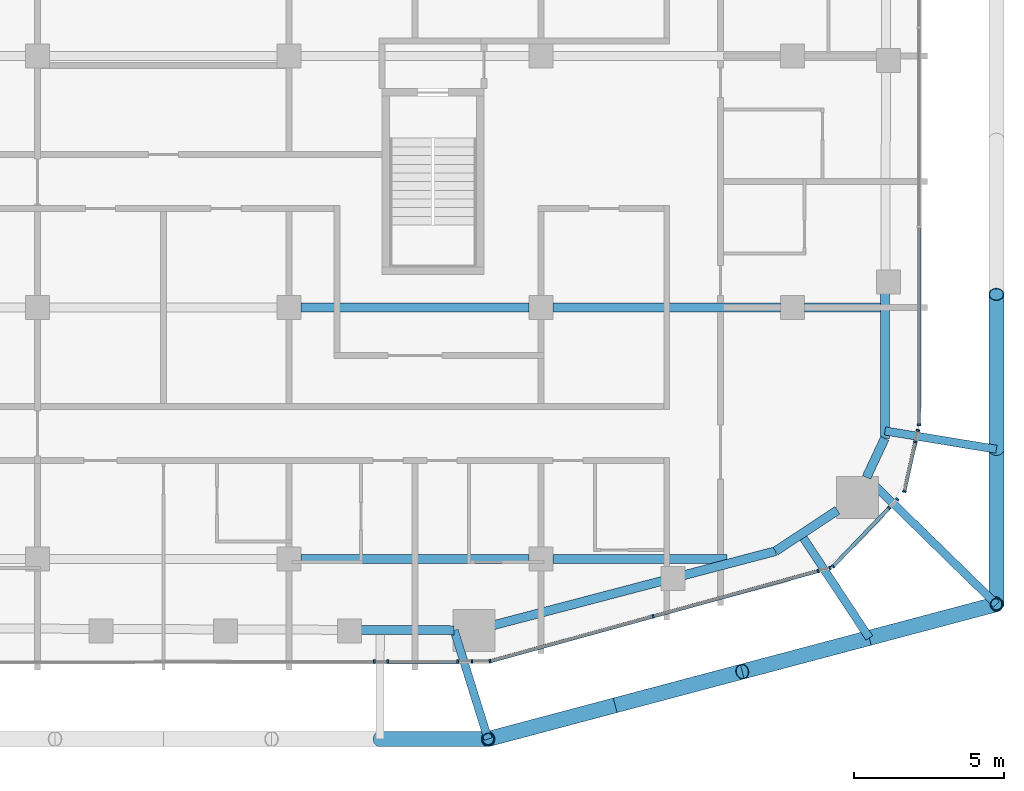
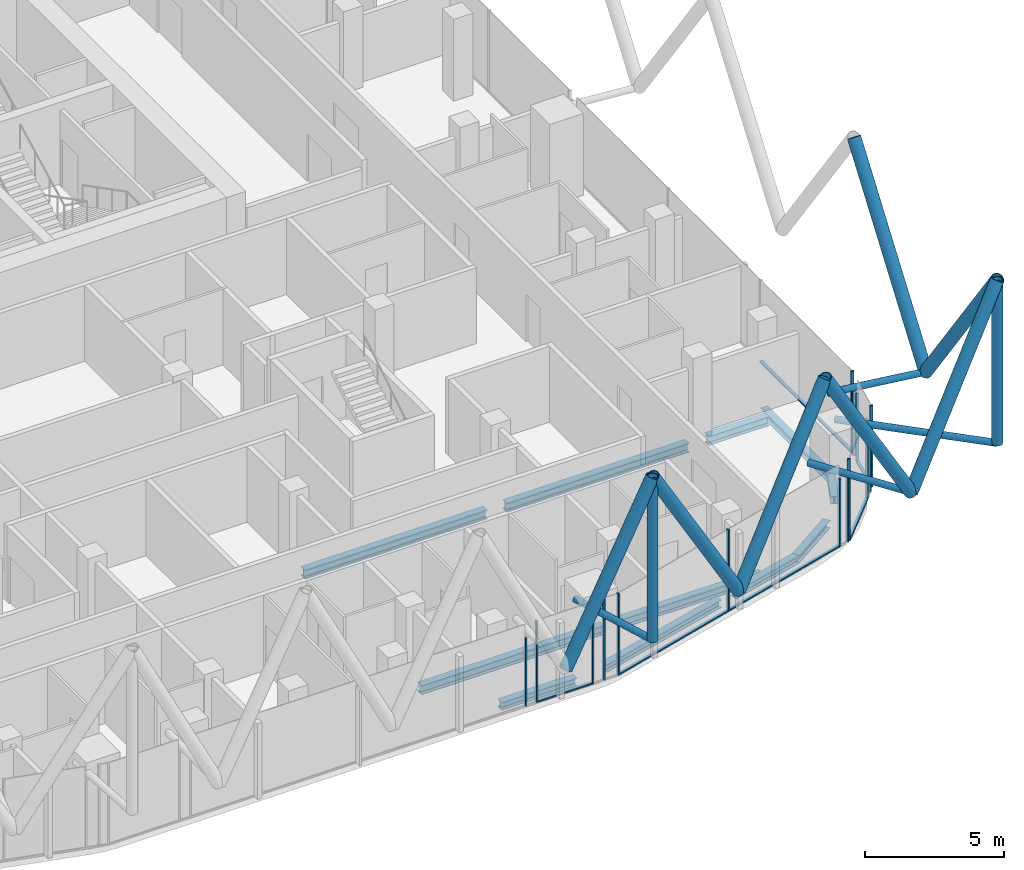
# One storey, part 6 of 31: 34 members, 11 beams, 11 elements without a shape of their own.
"""IFC4 building model written with IfcOpenShell, lengths in metres."""

from ifc_helpers import new_model, si_unit, direction, frame, origin, origin_2d, place, context, subcontext, project, spatial, rectangle, hollow_circle, i_section, extrude, material, layer, layer_set, material_profile, profile_set, type_object, element, aggregate, save


model = new_model("IFC4")

# Units and contexts
model_context = context("Model", 3, precision=1e-05, world=origin(), true_north=direction((0.0, 1.0)))
body_context = subcontext(model_context, "Body", "Model", "MODEL_VIEW")
ifc_project = project(units=[si_unit("LENGTHUNIT", "METRE"), si_unit("AREAUNIT", "SQUARE_METRE"), si_unit("VOLUMEUNIT", "CUBIC_METRE"), si_unit("PLANEANGLEUNIT", "RADIAN"), si_unit("MASSUNIT", "GRAM", prefix="KILO")], contexts=[model_context])

# Site, building, storey
site_placement = place(None, origin())
site = spatial("IfcSite", under=ifc_project, at=site_placement, CompositionType="ELEMENT")
building_placement = place(site_placement, origin())
building = spatial("IfcBuilding", under=site, at=building_placement, Name="Marenta Gate Hotel Tower", CompositionType="ELEMENT")
storey_placement = place(building_placement, frame((0.0, 0.0, 220.10009765625)))
storey = spatial("IfcBuildingStorey", under=building, at=storey_placement, Name="L51", CompositionType="ELEMENT", Elevation=220.10009765625)

# Members
ifc_material_1 = material(Name="Steel S355J2W", Category="steel")
ifc_material_profile_1 = material_profile(ifc_material_1, hollow_circle(Radius=0.203125, WallThickness=0.02490234375, at=origin_2d()), Name="CHS 406.4x25")
ifc_profile_set_1 = profile_set([ifc_material_profile_1], Name="Steel S355J2W")
member_type_1 = type_object("IfcMemberType", Name="Diagrid corner post Z3 CHS 406.4x25", PredefinedType="POST", material=ifc_profile_set_1)
for number, where, z_axis, x_axis, name in (
    (1, (27.800048828125, -26.7001953125, 3.139892578125), (0.0, 0.0, 1.0), (1.0, 0.0, 0.0), "L51-DR-2"),
    (2, (10.839111328125, -31.199951171875, 3.139892578125), (0.0, 0.0, 1.0), (1.0, 0.0, 0.0), "L51-DR-3"),
):
    element("IfcMember", number, at=place(storey_placement, frame(where, z_axis=z_axis, x_axis=x_axis)), inside=storey, type_object=member_type_1, Name=name, PredefinedType="POST", context=body_context, shape_type="SweptSolid", body=[
        extrude(hollow_circle(Radius=0.203125, WallThickness=0.02490234375, at=origin_2d()), origin(), (0.0, 0.0, 1.0), 7.199951171875),
    ])
ifc_material_2 = material(Name="Steel S355J2W", Category="steel")
ifc_material_profile_2 = material_profile(ifc_material_2, hollow_circle(Radius=0.25390625, WallThickness=0.02490234375, at=origin_2d()), Name="CHS 508x25")
ifc_profile_set_2 = profile_set([ifc_material_profile_2], Name="Steel S355J2W")
member_type_2 = type_object("IfcMemberType", Name="Diagrid diagonal Z3 CHS 508x25", PredefinedType="BRACE", material=ifc_profile_set_2)
member_1_placement = place(storey_placement, frame((27.800048828125, -21.530029296875, 3.139892578125), z_axis=(0.0, 0.583260841117, 0.812284919975), x_axis=(-1.0, 0.0, 0.0)))
element("IfcMember", 3, at=member_1_placement, inside=storey, type_object=member_type_2, Name="L51-DG-9", PredefinedType="BRACE", context=body_context, shape_type="SweptSolid", body=[
    extrude(hollow_circle(Radius=0.25390625, WallThickness=0.02490234375, at=origin_2d()), origin(), (0.0, 0.0, 1.0), 8.86376953125),
])
member_2_placement = place(storey_placement, frame((27.800048828125, -21.530029296875, 3.139892578125), z_axis=(0.0, -0.583279014058, 0.812271870595), x_axis=(1.0, 0.0, 0.0)))
element("IfcMember", 4, at=member_2_placement, inside=storey, type_object=member_type_2, Name="L51-DG-10", PredefinedType="BRACE", context=body_context, shape_type="SweptSolid", body=[
    extrude(hollow_circle(Radius=0.25390625, WallThickness=0.02490234375, at=origin_2d()), origin(), (0.0, 0.0, 1.0), 8.864013671875),
])
for number, where, z_axis, x_axis, name in (
    (5, (23.559814453125, -27.8251953125, 3.139892578125), (0.502924018666, 0.133433548941, 0.853968921838), (-0.256443187528, 0.96655930577, 0.0), "L51-DG-11"),
    (6, (23.559814453125, -27.8251953125, 3.139892578125), (-0.502924018666, -0.133433548941, 0.853968921838), (0.256443187528, -0.96655930577, 0.0), "L51-DG-12"),
    (7, (15.079345703125, -30.074951171875, 3.139892578125), (0.502925961678, 0.133405107407, 0.853972221087), (-0.256391194513, 0.966573098827, 0.0), "L51-DG-13"),
    (8, (15.079345703125, -30.074951171875, 3.139892578125), (-0.502924018666, -0.133433548941, 0.853968921838), (0.256443187528, -0.96655930577, 0.0), "L51-DG-14"),
):
    element("IfcMember", number, at=place(storey_placement, frame(where, z_axis=z_axis, x_axis=x_axis)), inside=storey, type_object=member_type_2, Name=name, PredefinedType="BRACE", context=body_context, shape_type="SweptSolid", body=[
        extrude(hollow_circle(Radius=0.25390625, WallThickness=0.02490234375, at=origin_2d()), origin(), (0.0, 0.0, 1.0), 8.43115234375),
    ])
member_3_placement = place(storey_placement, frame((7.22607421875, -31.199951171875, 3.139892578125), z_axis=(0.44851025603, 0.0, 0.893777685018), x_axis=(0.0, 1.0, 0.0)))
element("IfcMember", 9, at=member_3_placement, inside=storey, type_object=member_type_2, Name="L51-DG-15", PredefinedType="BRACE", context=body_context, shape_type="SweptSolid", body=[
    extrude(hollow_circle(Radius=0.25390625, WallThickness=0.02490234375, at=origin_2d()), origin(), (0.0, 0.0, 1.0), 8.0556640625),
])

# Beams
ifc_material_3 = material(Name="Steel S355", Category="steel")
ifc_material_profile_3 = material_profile(ifc_material_3, i_section(OverallWidth=0.300048828125, OverallDepth=0.340087890625, WebThickness=0.011962890625, FlangeThickness=0.021484375, FilletRadius=0.027099609375, at=origin_2d()), Name="HEB 340")
ifc_profile_set_3 = profile_set([ifc_material_profile_3], Name="Steel S355")
beam_type_1 = type_object("IfcBeamType", Name="Edge beam HEB 340", PredefinedType="SPANDREL", material=ifc_profile_set_3)
beam_1_placement = place(storey_placement, frame((24.09130859375, -16.31201171875, -0.43017578125), z_axis=(-0.003318732666, -0.999994492992, 0.0), x_axis=(0.999994492992, -0.003318732666, 0.0)))
element("IfcBeam", 10, at=beam_1_placement, inside=storey, type_object=beam_type_1, Name="L51-EB-27", PredefinedType="SPANDREL", context=body_context, shape_type="SweptSolid", body=[
    extrude(i_section(OverallWidth=0.300048828125, OverallDepth=0.340087890625, WebThickness=0.011962890625, FlangeThickness=0.021484375, FilletRadius=0.027099609375, at=origin_2d()), origin(), (0.0, 0.0, 1.0), 4.855224609375),
])
beam_2_placement = place(storey_placement, frame((24.0751953125, -21.167236328125, -0.43017578125), z_axis=(-0.423341112024, -0.905970365338, 0.0), x_axis=(0.905970365338, -0.423341112024, 0.0)))
element("IfcBeam", 11, at=beam_2_placement, inside=storey, type_object=beam_type_1, Name="L51-EB-28", PredefinedType="SPANDREL", context=body_context, shape_type="SweptSolid", body=[
    extrude(i_section(OverallWidth=0.300048828125, OverallDepth=0.340087890625, WebThickness=0.011962890625, FlangeThickness=0.021484375, FilletRadius=0.027099609375, at=origin_2d()), origin(), (0.0, 0.0, 1.0), 1.437255859375),
])
beam_3_placement = place(storey_placement, frame((22.496337890625, -23.56640625, -0.43017578125), z_axis=(-0.834528740585, -0.550964410047, 0.0), x_axis=(0.550964410047, -0.834528740585, 0.0)))
element("IfcBeam", 12, at=beam_3_placement, inside=storey, type_object=beam_type_1, Name="L51-EB-29", PredefinedType="SPANDREL", context=body_context, shape_type="SweptSolid", body=[
    extrude(i_section(OverallWidth=0.300048828125, OverallDepth=0.340087890625, WebThickness=0.011962890625, FlangeThickness=0.021484375, FilletRadius=0.027099609375, at=origin_2d()), origin(), (0.0, 0.0, 1.0), 2.47705078125),
])
beam_4_placement = place(storey_placement, frame((20.42919921875, -24.93115234375, -0.43017578125), z_axis=(-0.967235227858, -0.253881889845, 0.0), x_axis=(0.253881889845, -0.967235227858, 0.0)))
element("IfcBeam", 13, at=beam_4_placement, inside=storey, type_object=beam_type_1, Name="L51-EB-30", PredefinedType="SPANDREL", context=body_context, shape_type="SweptSolid", body=[
    extrude(i_section(OverallWidth=0.300048828125, OverallDepth=0.340087890625, WebThickness=0.011962890625, FlangeThickness=0.021484375, FilletRadius=0.027099609375, at=origin_2d()), origin(), (0.0, 0.0, 1.0), 3.164794921875),
])
beam_5_placement = place(storey_placement, frame((16.6455078125, -25.92431640625, -0.43017578125), z_axis=(-0.96723496524, -0.253882890359, 0.0), x_axis=(0.253882890359, -0.96723496524, 0.0)))
element("IfcBeam", 14, at=beam_5_placement, inside=storey, type_object=beam_type_1, Name="L51-EB-31", PredefinedType="SPANDREL", context=body_context, shape_type="SweptSolid", body=[
    extrude(i_section(OverallWidth=0.300048828125, OverallDepth=0.340087890625, WebThickness=0.011962890625, FlangeThickness=0.021484375, FilletRadius=0.027099609375, at=origin_2d()), origin(), (0.0, 0.0, 1.0), 5.80810546875),
])
beam_6_placement = place(storey_placement, frame((9.706298828125, -27.570068359375, -0.43017578125), z_axis=(-0.999992678531, 0.003826602206, 0.0), x_axis=(-0.003826602206, -0.999992678531, 0.0)))
element("IfcBeam", 15, at=beam_6_placement, inside=storey, type_object=beam_type_1, Name="L51-EB-32", PredefinedType="SPANDREL", context=body_context, shape_type="SweptSolid", body=[
    extrude(i_section(OverallWidth=0.300048828125, OverallDepth=0.340087890625, WebThickness=0.011962890625, FlangeThickness=0.021484375, FilletRadius=0.027099609375, at=origin_2d()), origin(), (0.0, 0.0, 1.0), 3.126220703125),
])

# Members
ifc_material_4 = material(Name="Steel S355J2W", Category="steel")
ifc_material_profile_4 = material_profile(ifc_material_4, hollow_circle(Radius=0.136474609375, WallThickness=0.012451171875, at=origin_2d()), Name="CHS 273x12.5")
ifc_profile_set_4 = profile_set([ifc_material_profile_4], Name="Steel S355J2W")
member_type_3 = type_object("IfcMemberType", Name="Floor tie CHS 273x12.5", PredefinedType="STRUT", material=ifc_profile_set_4)
member_4_placement = place(storey_placement, frame((27.800048828125, -21.530029296875, 3.139892578125), z_axis=(-0.986729812745, 0.162370799838, 0.0), x_axis=(-0.162370799838, -0.986729812745, 0.0)))
element("IfcMember", 16, at=member_4_placement, inside=storey, type_object=member_type_3, Name="L51-DR-10", PredefinedType="STRUT", context=body_context, shape_type="SweptSolid", body=[
    extrude(hollow_circle(Radius=0.136474609375, WallThickness=0.012451171875, at=origin_2d()), origin(), (0.0, 0.0, 1.0), 3.76806640625),
])
member_5_placement = place(storey_placement, frame((27.800048828125, -26.7001953125, 3.139892578125), z_axis=(-0.715510328178, 0.698602154499, 0.0), x_axis=(-0.698602154499, -0.715510328178, 0.0)))
element("IfcMember", 17, at=member_5_placement, inside=storey, type_object=member_type_3, Name="L51-DR-11", PredefinedType="STRUT", context=body_context, shape_type="SweptSolid", body=[
    extrude(hollow_circle(Radius=0.136474609375, WallThickness=0.012451171875, at=origin_2d()), origin(), (0.0, 0.0, 1.0), 6.050048828125),
])
member_6_placement = place(storey_placement, frame((23.559814453125, -27.8251953125, 3.139892578125), z_axis=(-0.550987823012, 0.834513282634, 0.0), x_axis=(-0.834513282634, -0.550987823012, 0.0)))
element("IfcMember", 18, at=member_6_placement, inside=storey, type_object=member_type_3, Name="L51-DR-12", PredefinedType="STRUT", context=body_context, shape_type="SweptSolid", body=[
    extrude(hollow_circle(Radius=0.136474609375, WallThickness=0.012451171875, at=origin_2d()), origin(), (0.0, 0.0, 1.0), 4.134033203125),
])
member_7_placement = place(storey_placement, frame((10.839111328125, -31.199951171875, 3.139892578125), z_axis=(-0.297897789013, 0.954597772521, 0.0), x_axis=(-0.954597772521, -0.297897789013, 0.0)))
element("IfcMember", 19, at=member_7_placement, inside=storey, type_object=member_type_3, Name="L51-DR-13", PredefinedType="STRUT", context=body_context, shape_type="SweptSolid", body=[
    extrude(hollow_circle(Radius=0.136474609375, WallThickness=0.012451171875, at=origin_2d()), origin(), (0.0, 0.0, 1.0), 3.796142578125),
])

# Beams
ifc_material_5 = material(Name="Steel S355", Category="steel")
ifc_material_profile_5 = material_profile(ifc_material_5, i_section(OverallWidth=0.300048828125, OverallDepth=0.39990234375, WebThickness=0.013427734375, FlangeThickness=0.02392578125, FilletRadius=0.027099609375, at=origin_2d()), Name="HEB 400")
ifc_profile_set_5 = profile_set([ifc_material_profile_5], Name="Steel S355")
beam_type_2 = type_object("IfcBeamType", Name="Girder HEB 400", PredefinedType="BEAM", material=ifc_profile_set_5)
beam_7_placement = place(storey_placement, frame((4.60009765625, -25.199951171875, -0.460205078125), z_axis=(1.0, 0.0, 0.0), x_axis=(0.0, 1.0, 0.0)))
element("IfcBeam", 20, at=beam_7_placement, inside=storey, type_object=beam_type_2, Name="L51-GD-4", PredefinedType="BEAM", context=body_context, shape_type="SweptSolid", body=[
    extrude(i_section(OverallWidth=0.300048828125, OverallDepth=0.39990234375, WebThickness=0.013427734375, FlangeThickness=0.02392578125, FilletRadius=0.027099609375, at=origin_2d()), origin(), (0.0, 0.0, 1.0), 7.599853515625),
])
beam_8_placement = place(storey_placement, frame((13.0, -25.199951171875, -0.460205078125), z_axis=(1.0, 0.0, 0.0), x_axis=(0.0, 1.0, 0.0)))
element("IfcBeam", 21, at=beam_8_placement, inside=storey, type_object=beam_type_2, Name="L51-GD-5", PredefinedType="BEAM", context=body_context, shape_type="SweptSolid", body=[
    extrude(i_section(OverallWidth=0.300048828125, OverallDepth=0.39990234375, WebThickness=0.013427734375, FlangeThickness=0.02392578125, FilletRadius=0.027099609375, at=origin_2d()), origin(), (0.0, 0.0, 1.0), 5.81396484375),
])
beam_9_placement = place(storey_placement, frame((4.60009765625, -16.800048828125, -0.460205078125), z_axis=(1.0, 0.0, 0.0), x_axis=(0.0, 1.0, 0.0)))
element("IfcBeam", 22, at=beam_9_placement, inside=storey, type_object=beam_type_2, Name="L51-GD-10", PredefinedType="BEAM", context=body_context, shape_type="SweptSolid", body=[
    extrude(i_section(OverallWidth=0.300048828125, OverallDepth=0.39990234375, WebThickness=0.013427734375, FlangeThickness=0.02392578125, FilletRadius=0.027099609375, at=origin_2d()), origin(), (0.0, 0.0, 1.0), 7.599853515625),
])
beam_10_placement = place(storey_placement, frame((13.0, -16.800048828125, -0.460205078125), z_axis=(1.0, 0.0, 0.0), x_axis=(0.0, 1.0, 0.0)))
element("IfcBeam", 23, at=beam_10_placement, inside=storey, type_object=beam_type_2, Name="L51-GD-11", PredefinedType="BEAM", context=body_context, shape_type="SweptSolid", body=[
    extrude(i_section(OverallWidth=0.300048828125, OverallDepth=0.39990234375, WebThickness=0.013427734375, FlangeThickness=0.02392578125, FilletRadius=0.027099609375, at=origin_2d()), origin(), (0.0, 0.0, 1.0), 7.60009765625),
])
beam_11_placement = place(storey_placement, frame((21.39990234375, -16.800048828125, -0.460205078125), z_axis=(1.0, 0.0, 0.0), x_axis=(0.0, 1.0, 0.0)))
element("IfcBeam", 24, at=beam_11_placement, inside=storey, type_object=beam_type_2, Name="L51-GD-12", PredefinedType="BEAM", context=body_context, shape_type="SweptSolid", body=[
    extrude(i_section(OverallWidth=0.300048828125, OverallDepth=0.39990234375, WebThickness=0.013427734375, FlangeThickness=0.02392578125, FilletRadius=0.027099609375, at=origin_2d()), origin(), (0.0, 0.0, 1.0), 2.539794921875),
])

# Curtain wall, member
ifc_material_6 = material(Name="Tinted insulated glass in bronze anodised frame", Category="glass")
ifc_layer = layer(ifc_material_6, 0.1201171875)
ifc_layer_set = layer_set([ifc_layer], Name="Tinted insulated glass in bronze anodised frame")
curtain_wall_type = type_object("IfcCurtainWallType", Name="Tower unitised curtain wall CW1", PredefinedType="NOTDEFINED", material=ifc_layer_set)
curtain_wall_1_placement = place(storey_placement, origin())
curtain_wall_1 = element("IfcCurtainWall", 25, at=curtain_wall_1_placement, inside=storey, type_object=curtain_wall_type, Name="CW1 run G22", PredefinedType="NOTDEFINED")
ifc_material_7 = material(Name="Bronze anodised aluminium", Category="aluminium")
ifc_material_profile_6 = material_profile(ifc_material_7, rectangle(XDim=0.1201171875, YDim=0.06005859375, at=origin_2d()), Name="Mullion CW1 60x120 bronze anodised aluminium")
ifc_profile_set_6 = profile_set([ifc_material_profile_6], Name="Bronze anodised aluminium")
member_type_4 = type_object("IfcMemberType", Name="Mullion CW1 60x120 bronze anodised aluminium", PredefinedType="MULLION", material=ifc_profile_set_6)
member_8_placement = place(storey_placement, frame((7.039306640625, -28.618896484375, 0.0), z_axis=(0.0, 0.0, 1.0), x_axis=(-0.001765611905, 0.999998441306, 0.0)))
member_8 = element("IfcMember", 26, at=member_8_placement, type_object=member_type_4, Name="CW1 mullion 1", PredefinedType="MULLION", context=body_context, shape_type="SweptSolid", body=[
    extrude(rectangle(XDim=0.1201171875, YDim=0.06005859375, at=origin_2d()), origin(), (0.0, 0.0, 1.0), 3.00048828125),
])
aggregate(curtain_wall_1, [member_8])

curtain_wall_2_placement = place(storey_placement, origin())
curtain_wall_2 = element("IfcCurtainWall", 27, at=curtain_wall_2_placement, inside=storey, type_object=curtain_wall_type, Name="CW1 run G23", PredefinedType="NOTDEFINED")
member_9_placement = place(storey_placement, frame((7.492431640625, -28.6181640625, 0.0), z_axis=(0.0, 0.0, 1.0), x_axis=(-0.001629220957, 0.999998672819, 0.0)))
member_9 = element("IfcMember", 28, at=member_9_placement, type_object=member_type_4, Name="CW1 mullion 1", PredefinedType="MULLION", context=body_context, shape_type="SweptSolid", body=[
    extrude(rectangle(XDim=0.1201171875, YDim=0.06005859375, at=origin_2d()), origin(), (0.0, 0.0, 1.0), 3.599853515625),
])

curtain_wall_3_placement = place(storey_placement, origin())
curtain_wall_3 = element("IfcCurtainWall", 29, at=curtain_wall_3_placement, inside=storey, type_object=curtain_wall_type, Name="CW1 run G24", PredefinedType="NOTDEFINED")
member_10_placement = place(storey_placement, frame((9.824951171875, -28.6142578125, 0.0), z_axis=(0.0, 0.0, 1.0), x_axis=(-0.001686693784, 0.999998577531, 0.0)))
member_10 = element("IfcMember", 30, at=member_10_placement, type_object=member_type_4, Name="CW1 mullion 1", PredefinedType="MULLION", context=body_context, shape_type="SweptSolid", body=[
    extrude(rectangle(XDim=0.1201171875, YDim=0.06005859375, at=origin_2d()), origin(), (0.0, 0.0, 1.0), 3.00048828125),
])
aggregate(curtain_wall_3, [member_10])

curtain_wall_4_placement = place(storey_placement, origin())
curtain_wall_4 = element("IfcCurtainWall", 31, at=curtain_wall_4_placement, inside=storey, type_object=curtain_wall_type, Name="CW1 run G25", PredefinedType="NOTDEFINED")
member_11_placement = place(storey_placement, frame((10.29931640625, -28.613525390625, 0.0), z_axis=(0.0, 0.0, 1.0), x_axis=(-0.001654257461, 0.999998631715, 0.0)))
member_11 = element("IfcMember", 32, at=member_11_placement, type_object=member_type_4, Name="CW1 mullion 1", PredefinedType="MULLION", context=body_context, shape_type="SweptSolid", body=[
    extrude(rectangle(XDim=0.1201171875, YDim=0.06005859375, at=origin_2d()), origin(), (0.0, 0.0, 1.0), 3.599853515625),
])
aggregate(curtain_wall_4, [member_11])

# Curtain wall, members
curtain_wall_5_placement = place(storey_placement, origin())
curtain_wall_5 = element("IfcCurtainWall", 33, at=curtain_wall_5_placement, inside=storey, type_object=curtain_wall_type, Name="CW1 run G26", PredefinedType="NOTDEFINED")
member_12_placement = place(storey_placement, frame((10.902587890625, -28.6044921875, 0.0), z_axis=(0.0, 0.0, 1.0), x_axis=(-0.265293853742, 0.964167605329, 0.0)))
member_12 = element("IfcMember", 34, at=member_12_placement, type_object=member_type_4, Name="CW1 mullion 1", PredefinedType="MULLION", context=body_context, shape_type="SweptSolid", body=[
    extrude(rectangle(XDim=0.1201171875, YDim=0.06005859375, at=origin_2d()), origin(), (0.0, 0.0, 1.0), 3.599853515625),
])
member_13_placement = place(storey_placement, frame((16.3466796875, -27.106689453125, 0.0), z_axis=(0.0, 0.0, 1.0), x_axis=(-0.265293853742, 0.964167605329, 0.0)))
member_13 = element("IfcMember", 35, at=member_13_placement, type_object=member_type_4, Name="CW1 mullion 2", PredefinedType="MULLION", context=body_context, shape_type="SweptSolid", body=[
    extrude(rectangle(XDim=0.1201171875, YDim=0.06005859375, at=origin_2d()), origin(), (0.0, 0.0, 1.0), 3.599853515625),
])

curtain_wall_6_placement = place(storey_placement, origin())
curtain_wall_6 = element("IfcCurtainWall", 36, at=curtain_wall_6_placement, inside=storey, type_object=curtain_wall_type, Name="CW1 run G27", PredefinedType="NOTDEFINED")
member_14_placement = place(storey_placement, frame((21.8486328125, -25.5927734375, 0.0), z_axis=(0.0, 0.0, 1.0), x_axis=(-0.265283308776, 0.964170506749, 0.0)))
member_14 = element("IfcMember", 37, at=member_14_placement, type_object=member_type_4, Name="CW1 mullion 1", PredefinedType="MULLION", context=body_context, shape_type="SweptSolid", body=[
    extrude(rectangle(XDim=0.1201171875, YDim=0.06005859375, at=origin_2d()), origin(), (0.0, 0.0, 1.0), 3.00048828125),
])
member_15_placement = place(storey_placement, frame((22.25, -25.482177734375, 0.0), z_axis=(0.0, 0.0, 1.0), x_axis=(-0.265283308776, 0.964170506749, 0.0)))
member_15 = element("IfcMember", 38, at=member_15_placement, type_object=member_type_4, Name="CW1 mullion 2", PredefinedType="MULLION", context=body_context, shape_type="SweptSolid", body=[
    extrude(rectangle(XDim=0.1201171875, YDim=0.06005859375, at=origin_2d()), origin(), (0.0, 0.0, 1.0), 3.00048828125),
])
aggregate(curtain_wall_6, [member_14, member_15])

# Curtain wall, member
curtain_wall_7_placement = place(storey_placement, origin())
curtain_wall_7 = element("IfcCurtainWall", 39, at=curtain_wall_7_placement, inside=storey, type_object=curtain_wall_type, Name="CW1 run G28", PredefinedType="NOTDEFINED")
member_16_placement = place(storey_placement, frame((22.345458984375, -25.43994140625, 0.0), z_axis=(0.0, 0.0, 1.0), x_axis=(-0.721374796599, 0.692544874237, 0.0)))
member_16 = element("IfcMember", 40, at=member_16_placement, type_object=member_type_4, Name="CW1 mullion 1", PredefinedType="MULLION", context=body_context, shape_type="SweptSolid", body=[
    extrude(rectangle(XDim=0.1201171875, YDim=0.06005859375, at=origin_2d()), origin(), (0.0, 0.0, 1.0), 3.599853515625),
])

# Curtain wall, members
curtain_wall_8_placement = place(storey_placement, origin())
curtain_wall_8 = element("IfcCurtainWall", 41, at=curtain_wall_8_placement, inside=storey, type_object=curtain_wall_type, Name="CW1 run G29", PredefinedType="NOTDEFINED")
member_17_placement = place(storey_placement, frame((24.22412109375, -23.4833984375, 0.0), z_axis=(0.0, 0.0, 1.0), x_axis=(-0.721418199888, 0.692499661278, 0.0)))
member_17 = element("IfcMember", 42, at=member_17_placement, type_object=member_type_4, Name="CW1 mullion 1", PredefinedType="MULLION", context=body_context, shape_type="SweptSolid", body=[
    extrude(rectangle(XDim=0.1201171875, YDim=0.06005859375, at=origin_2d()), origin(), (0.0, 0.0, 1.0), 3.00048828125),
])
member_18_placement = place(storey_placement, frame((24.496337890625, -23.199951171875, 0.0), z_axis=(0.0, 0.0, 1.0), x_axis=(-0.721418199888, 0.692499661278, 0.0)))
member_18 = element("IfcMember", 43, at=member_18_placement, type_object=member_type_4, Name="CW1 mullion 2", PredefinedType="MULLION", context=body_context, shape_type="SweptSolid", body=[
    extrude(rectangle(XDim=0.1201171875, YDim=0.06005859375, at=origin_2d()), origin(), (0.0, 0.0, 1.0), 3.00048828125),
])
aggregate(curtain_wall_8, [member_17, member_18])

# Curtain wall, member
curtain_wall_9_placement = place(storey_placement, origin())
curtain_wall_9 = element("IfcCurtainWall", 44, at=curtain_wall_9_placement, inside=storey, type_object=curtain_wall_type, Name="CW1 run G30", PredefinedType="NOTDEFINED")
member_19_placement = place(storey_placement, frame((24.726806640625, -22.937255859375, 0.0), z_axis=(0.0, 0.0, 1.0), x_axis=(-0.97621206153, 0.21681792113, 0.0)))
member_19 = element("IfcMember", 45, at=member_19_placement, type_object=member_type_4, Name="CW1 mullion 1", PredefinedType="MULLION", context=body_context, shape_type="SweptSolid", body=[
    extrude(rectangle(XDim=0.1201171875, YDim=0.06005859375, at=origin_2d()), origin(), (0.0, 0.0, 1.0), 3.599853515625),
])

# Curtain wall, members
curtain_wall_10_placement = place(storey_placement, origin())
curtain_wall_10 = element("IfcCurtainWall", 46, at=curtain_wall_10_placement, inside=storey, type_object=curtain_wall_type, Name="CW1 run G31", PredefinedType="NOTDEFINED")
member_20_placement = place(storey_placement, frame((25.093994140625, -21.283935546875, 0.0), z_axis=(0.0, 0.0, 1.0), x_axis=(-0.976197431319, 0.216883782439, 0.0)))
member_20 = element("IfcMember", 47, at=member_20_placement, type_object=member_type_4, Name="CW1 mullion 1", PredefinedType="MULLION", context=body_context, shape_type="SweptSolid", body=[
    extrude(rectangle(XDim=0.1201171875, YDim=0.06005859375, at=origin_2d()), origin(), (0.0, 0.0, 1.0), 3.00048828125),
])
member_21_placement = place(storey_placement, frame((25.179443359375, -20.899658203125, 0.0), z_axis=(0.0, 0.0, 1.0), x_axis=(-0.976197431319, 0.216883782439, 0.0)))
member_21 = element("IfcMember", 48, at=member_21_placement, type_object=member_type_4, Name="CW1 mullion 2", PredefinedType="MULLION", context=body_context, shape_type="SweptSolid", body=[
    extrude(rectangle(XDim=0.1201171875, YDim=0.06005859375, at=origin_2d()), origin(), (0.0, 0.0, 1.0), 3.00048828125),
])
aggregate(curtain_wall_10, [member_20, member_21])

# Curtain wall, member
curtain_wall_11_placement = place(storey_placement, origin())
curtain_wall_11 = element("IfcCurtainWall", 49, at=curtain_wall_11_placement, inside=storey, type_object=curtain_wall_type, Name="CW1 run G32", PredefinedType="NOTDEFINED")
member_22_placement = place(storey_placement, frame((25.214111328125, -20.7138671875, 0.0), z_axis=(0.0, 0.0, 1.0), x_axis=(-1.0, 0.0, 0.0)))
member_22 = element("IfcMember", 50, at=member_22_placement, type_object=member_type_4, Name="CW1 mullion 1", PredefinedType="MULLION", context=body_context, shape_type="SweptSolid", body=[
    extrude(rectangle(XDim=0.1201171875, YDim=0.06005859375, at=origin_2d()), origin(), (0.0, 0.0, 1.0), 3.599853515625),
])

# Member
ifc_material_8 = material(Name="Bronze anodised aluminium", Category="aluminium")
ifc_material_profile_7 = material_profile(ifc_material_8, rectangle(XDim=0.1201171875, YDim=0.06005859375, at=origin_2d()), Name="Transom CW1 60x120 bronze anodised aluminium")
ifc_profile_set_7 = profile_set([ifc_material_profile_7], Name="Bronze anodised aluminium")
member_type_5 = type_object("IfcMemberType", Name="Transom CW1 60x120 bronze anodised aluminium", PredefinedType="USERDEFINED", material=ifc_profile_set_7)
member_23_placement = place(storey_placement, frame((7.5224609375, -28.617919921875, 0.02978515625), z_axis=(0.999998701509, 0.001611514882, 0.0), x_axis=(-0.001611514882, 0.999998701509, 0.0)))
member_23 = element("IfcMember", 51, at=member_23_placement, type_object=member_type_5, Name="CW1 transom 1.1", ObjectType="TRANSOM", PredefinedType="USERDEFINED", context=body_context, shape_type="SweptSolid", body=[
    extrude(rectangle(XDim=0.1201171875, YDim=0.06005859375, at=origin_2d()), origin(), (0.0, 0.0, 1.0), 2.2724609375),
])

aggregate(curtain_wall_2, [member_9, member_23])

member_24_placement = place(storey_placement, frame((10.931640625, -28.5966796875, 0.02978515625), z_axis=(0.964158168869, 0.265328146648, 0.0), x_axis=(-0.265328146648, 0.964158168869, 0.0)))
member_24 = element("IfcMember", 52, at=member_24_placement, type_object=member_type_5, Name="CW1 transom 1.1", ObjectType="TRANSOM", PredefinedType="USERDEFINED", context=body_context, shape_type="SweptSolid", body=[
    extrude(rectangle(XDim=0.1201171875, YDim=0.06005859375, at=origin_2d()), origin(), (0.0, 0.0, 1.0), 5.586181640625),
])

member_25_placement = place(storey_placement, frame((16.37548828125, -27.0986328125, 0.02978515625), z_axis=(0.964163650311, 0.265308227199, 0.0), x_axis=(-0.265308227199, 0.964163650311, 0.0)))
member_25 = element("IfcMember", 53, at=member_25_placement, type_object=member_type_5, Name="CW1 transom 2.1", ObjectType="TRANSOM", PredefinedType="USERDEFINED", context=body_context, shape_type="SweptSolid", body=[
    extrude(rectangle(XDim=0.1201171875, YDim=0.06005859375, at=origin_2d()), origin(), (0.0, 0.0, 1.0), 5.646484375),
])

aggregate(curtain_wall_5, [member_12, member_13, member_24, member_25])

member_26_placement = place(storey_placement, frame((22.366455078125, -25.41845703125, 0.02978515625), z_axis=(0.692508837001, 0.721409391868, 0.0), x_axis=(-0.721409391868, 0.692508837001, 0.0)))
member_26 = element("IfcMember", 54, at=member_26_placement, type_object=member_type_5, Name="CW1 transom 1.1", ObjectType="TRANSOM", PredefinedType="USERDEFINED", context=body_context, shape_type="SweptSolid", body=[
    extrude(rectangle(XDim=0.1201171875, YDim=0.06005859375, at=origin_2d()), origin(), (0.0, 0.0, 1.0), 2.652587890625),
])

aggregate(curtain_wall_7, [member_16, member_26])

member_27_placement = place(storey_placement, frame((24.7333984375, -22.907958984375, 0.02978515625), z_axis=(0.216708908034, 0.976236267088, 0.0), x_axis=(-0.976236267088, 0.216708908034, 0.0)))
member_27 = element("IfcMember", 55, at=member_27_placement, type_object=member_type_5, Name="CW1 transom 1.1", ObjectType="TRANSOM", PredefinedType="USERDEFINED", context=body_context, shape_type="SweptSolid", body=[
    extrude(rectangle(XDim=0.1201171875, YDim=0.06005859375, at=origin_2d()), origin(), (0.0, 0.0, 1.0), 1.633544921875),
])

aggregate(curtain_wall_9, [member_19, member_27])

member_28_placement = place(storey_placement, frame((25.214111328125, -20.683837890625, 0.02978515625), z_axis=(0.0, 1.0, 0.0), x_axis=(-1.0, 0.0, 0.0)))
member_28 = element("IfcMember", 56, at=member_28_placement, type_object=member_type_5, Name="CW1 transom 1.1", ObjectType="TRANSOM", PredefinedType="USERDEFINED", context=body_context, shape_type="SweptSolid", body=[
    extrude(rectangle(XDim=0.1201171875, YDim=0.06005859375, at=origin_2d()), origin(), (0.0, 0.0, 1.0), 6.55029296875),
])

aggregate(curtain_wall_11, [member_22, member_28])

save(model, "model.ifc")
